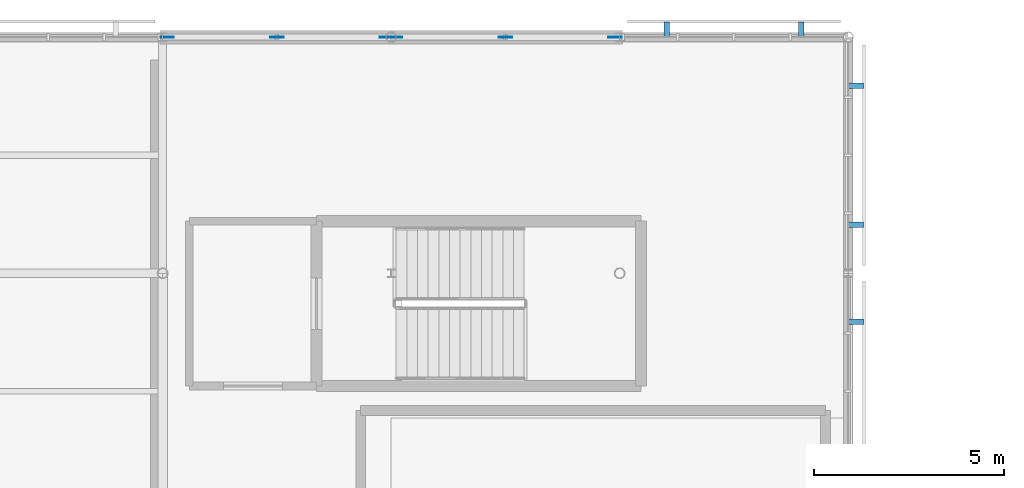
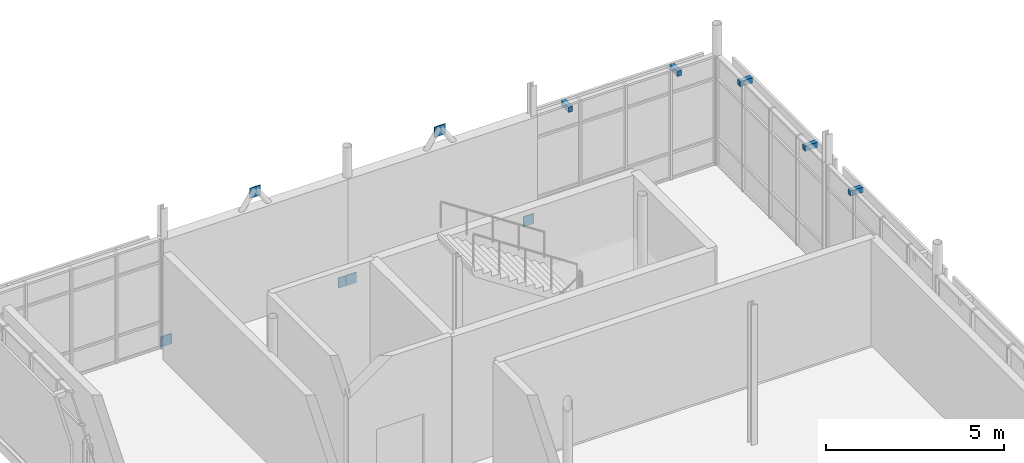
# One storey, part 44 of 48: 11 discrete accessories.
"""IFC4 building model written with IfcOpenShell, lengths in metres."""

from ifc_helpers import new_model, si_unit, direction, frame, origin, origin_2d, place, context, subcontext, project, spatial, rectangle, extrude, material, type_object, element, save


model = new_model("IFC4")

# Units and contexts
model_context = context("Model", 3, precision=1e-05, world=origin(), true_north=direction((0.0, 1.0)))
body_context = subcontext(model_context, "Body", "Model", "MODEL_VIEW")
ifc_project = project(units=[si_unit("LENGTHUNIT", "METRE"), si_unit("AREAUNIT", "SQUARE_METRE"), si_unit("VOLUMEUNIT", "CUBIC_METRE"), si_unit("PLANEANGLEUNIT", "RADIAN"), si_unit("MASSUNIT", "GRAM", prefix="KILO")], contexts=[model_context])

# Site, building, storey
site_placement = place(None, origin())
site = spatial("IfcSite", under=ifc_project, at=site_placement, CompositionType="ELEMENT")
building_placement = place(site_placement, origin())
building = spatial("IfcBuilding", under=site, at=building_placement, Name="Mirzam Square Science Centre", CompositionType="ELEMENT")
storey_placement = place(building_placement, frame((0.0, 0.0, 20.39990234375)))
storey = spatial("IfcBuildingStorey", under=building, at=storey_placement, Name="L04", CompositionType="ELEMENT", Elevation=20.39990234375)

# Discrete accessories
ifc_material = material(Name="Steel S355", Category="steel")
discrete_accessory_type_1 = type_object("IfcDiscreteAccessoryType", Name="BK-BRACE-GUSSET", PredefinedType="BRACKET", material=ifc_material)
for number, where, z_axis, x_axis, name in (
    (1, (120.1201171875, 111.60009765625, -0.0048828125), (0.0, 0.0, 1.0), (1.0, 0.0, 0.0), "L04 brace gusset plate 8A"),
    (2, (125.8798828125, 111.60009765625, -0.0048828125), (0.0, 0.0, 1.0), (1.0, 0.0, 0.0), "L04 brace gusset plate 8B"),
    (3, (123.0, 111.60009765625, 4.080078125), (0.0, 0.0, 1.0), (1.0, 0.0, 0.0), "L04 brace apex gusset plate 8"),
    (4, (126.1201171875, 111.60009765625, -0.0048828125), (0.0, 0.0, 1.0), (1.0, 0.0, 0.0), "L04 brace gusset plate 9A"),
    (5, (131.8798828125, 111.60009765625, -0.0048828125), (0.0, 0.0, 1.0), (1.0, 0.0, 0.0), "L04 brace gusset plate 9B"),
    (6, (129.0, 111.60009765625, 4.080078125), (0.0, 0.0, 1.0), (1.0, 0.0, 0.0), "L04 brace apex gusset plate 9"),
):
    element("IfcDiscreteAccessory", number, at=place(storey_placement, frame(where, z_axis=z_axis, x_axis=x_axis)), inside=storey, type_object=discrete_accessory_type_1, Name=name, PredefinedType="BRACKET", context=body_context, shape_type="SweptSolid", body=[
        extrude(rectangle(XDim=0.35009765625, YDim=0.02490234375, at=origin_2d()), origin(), (0.0, 0.0, 1.0), 0.35009765625),
    ])
discrete_accessory_type_2 = type_object("IfcDiscreteAccessoryType", Name="BRK-BRISE-STEEL", PredefinedType="BRACKET", material=ifc_material)
for number, where, z_axis, x_axis, name in (
    (7, (136.76708984375, 111.7900390625, 3.419921875), (0.0, 0.0, 1.0), (-1.0, 0.0, 0.0), "L04 brise-soleil support bracket 147"),
    (8, (133.23291015625, 111.7900390625, 3.419921875), (0.0, 0.0, 1.0), (-1.0, 0.0, 0.0), "L04 brise-soleil support bracket 147"),
    (9, (138.18994140625, 104.126953125, 3.419921875), (0.0, 0.0, 1.0), (0.0, 1.0, 0.0), "L04 brise-soleil support bracket 153"),
    (10, (138.18994140625, 106.673095703125, 3.419921875), (0.0, 0.0, 1.0), (0.0, 1.0, 0.0), "L04 brise-soleil support bracket 155"),
    (11, (138.18994140625, 110.326904296875, 3.419921875), (0.0, 0.0, 1.0), (0.0, 1.0, 0.0), "L04 brise-soleil support bracket 155"),
):
    element("IfcDiscreteAccessory", number, at=place(storey_placement, frame(where, z_axis=z_axis, x_axis=x_axis)), inside=storey, type_object=discrete_accessory_type_2, Name=name, PredefinedType="BRACKET", context=body_context, shape_type="SweptSolid", body=[
        extrude(rectangle(XDim=0.139892578125, YDim=0.419921875, at=origin_2d()), origin(), (0.0, 0.0, 1.0), 0.179931640625),
    ])

save(model, "model.ifc")
